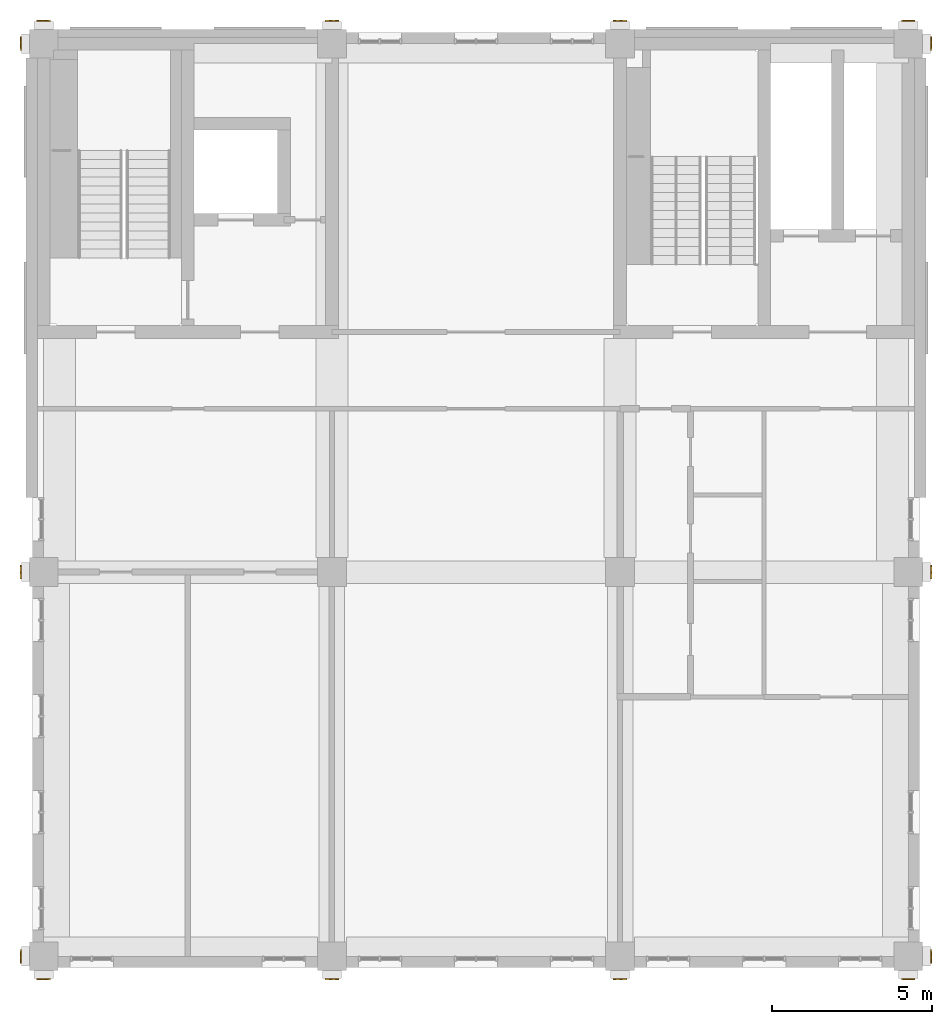
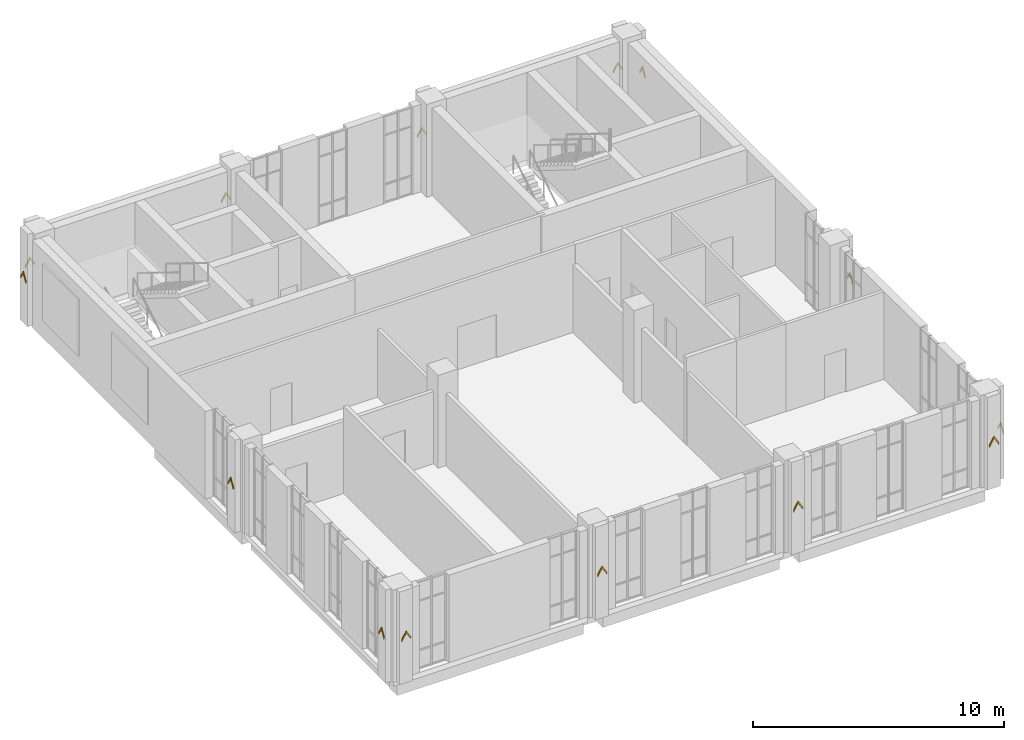
# One storey, part 13 of 13: 14 coverings.
"""IFC4 building model written with IfcOpenShell, lengths in metres."""

from ifc_helpers import new_model, si_unit, direction, frame, origin, place, context, subcontext, project, spatial, polyline, outline, extrude, material, layer, layer_set, type_object, element, save


model = new_model("IFC4")

# Units and contexts
model_context = context("Model", 3, precision=1e-05, world=origin(), true_north=direction((0.0, 1.0)))
body_context = subcontext(model_context, "Body", "Model", "MODEL_VIEW")
ifc_project = project(units=[si_unit("LENGTHUNIT", "METRE"), si_unit("AREAUNIT", "SQUARE_METRE"), si_unit("VOLUMEUNIT", "CUBIC_METRE"), si_unit("PLANEANGLEUNIT", "RADIAN"), si_unit("MASSUNIT", "GRAM", prefix="KILO")], contexts=[model_context])

# Site, building, storey
site_placement = place(None, origin())
site = spatial("IfcSite", under=ifc_project, at=site_placement, CompositionType="ELEMENT")
building_placement = place(site_placement, origin())
building = spatial("IfcBuilding", under=site, at=building_placement, Name="Aurelan Courthouse", CompositionType="ELEMENT")
storey_placement = place(building_placement, frame((0.0, 0.0, 48.89990234375)))
storey = spatial("IfcBuildingStorey", under=building, at=storey_placement, Name="L09", CompositionType="ELEMENT", Elevation=48.89990234375)

# Coverings
ifc_material = material(Name="Bronze sheet cladding")
ifc_layer = layer(ifc_material, 0.0400390625)
ifc_layer_set = layer_set([ifc_layer], Name="Bronze sheet cladding")
covering_type = type_object("IfcCoveringType", Name="Courts' Floors chevron relief 420 x 470", PredefinedType="CLADDING", material=ifc_layer_set)
for number, where, z_axis, x_axis, name in (
    (1, (0.0, -0.699951171875, -48.89990234375), (0.0, -1.0, 0.0), (1.0, 0.0, 0.0), "Chevron relief CH-V5-099"),
    (2, (9.0, -0.699951171875, -48.89990234375), (0.0, -1.0, 0.0), (1.0, 0.0, 0.0), "Chevron relief CH-V5-100"),
    (3, (18.0, -0.699951171875, -48.89990234375), (0.0, -1.0, 0.0), (1.0, 0.0, 0.0), "Chevron relief CH-V5-101"),
    (4, (27.0, -0.699951171875, -48.89990234375), (0.0, -1.0, 0.0), (1.0, 0.0, 0.0), "Chevron relief CH-V5-102"),
    (5, (0.0, 29.199951171875, -48.89990234375), (0.0, 1.0, 0.0), (-1.0, 0.0, 0.0), "Chevron relief CH-V5-103"),
    (6, (9.0, 29.199951171875, -48.89990234375), (0.0, 1.0, 0.0), (-1.0, 0.0, 0.0), "Chevron relief CH-V5-104"),
    (7, (18.0, 29.199951171875, -48.89990234375), (0.0, 1.0, 0.0), (-1.0, 0.0, 0.0), "Chevron relief CH-V5-105"),
    (8, (27.0, 29.199951171875, -48.89990234375), (0.0, 1.0, 0.0), (-1.0, 0.0, 0.0), "Chevron relief CH-V5-106"),
    (9, (27.699951171875, 0.0, -48.89990234375), (1.0, 0.0, 0.0), (0.0, 1.0, 0.0), "Chevron relief CH-V5-107"),
    (10, (27.699951171875, 12.0, -48.89990234375), (1.0, 0.0, 0.0), (0.0, 1.0, 0.0), "Chevron relief CH-V5-108"),
    (11, (27.699951171875, 28.5, -48.89990234375), (1.0, 0.0, 0.0), (0.0, 1.0, 0.0), "Chevron relief CH-V5-109"),
    (12, (-0.699951171875, 0.0, -48.89990234375), (-1.0, 0.0, 0.0), (0.0, -1.0, 0.0), "Chevron relief CH-V5-110"),
    (13, (-0.699951171875, 12.0, -48.89990234375), (-1.0, 0.0, 0.0), (0.0, -1.0, 0.0), "Chevron relief CH-V5-111"),
    (14, (-0.699951171875, 28.5, -48.89990234375), (-1.0, 0.0, 0.0), (0.0, -1.0, 0.0), "Chevron relief CH-V5-112"),
):
    element("IfcCovering", number, at=place(storey_placement, frame(where, z_axis=z_axis, x_axis=x_axis)), inside=storey, type_object=covering_type, Name=name, PredefinedType="CLADDING", context=body_context, shape_type="SweptSolid", body=[
        extrude(outline(polyline([(-0.2099609375, 50.97509765625), (0.0, 51.324951171875), (0.2099609375, 50.97509765625), (0.2099609375, 51.094970703125), (0.0, 51.445068359375), (-0.2099609375, 51.094970703125), (-0.2099609375, 50.97509765625)])), origin(), (0.0, 0.0, 1.0), 0.0400390625),
    ])

save(model, "model.ifc")
